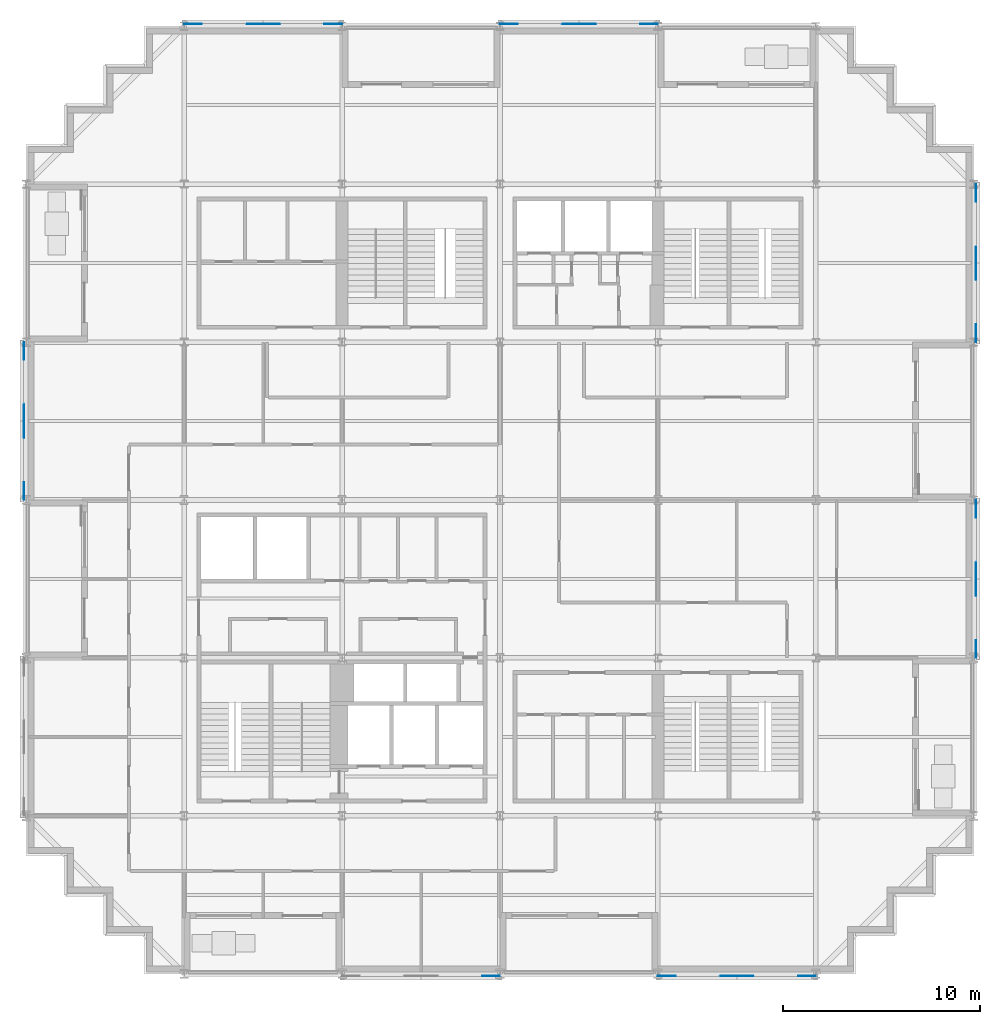
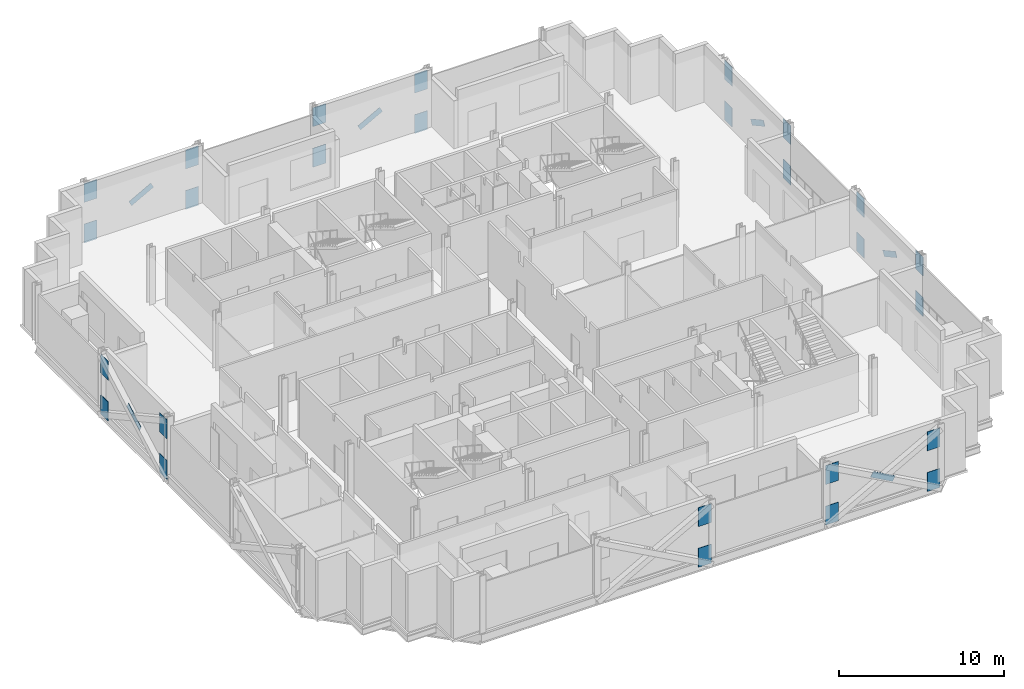
# One storey, part 12 of 15: 32 discrete accessories.
"""IFC4 building model written with IfcOpenShell, lengths in metres."""

from ifc_helpers import new_model, si_unit, direction, frame, origin, origin_2d, place, context, subcontext, project, spatial, rectangle, extrude, material, material_profile, profile_set, type_object, element, save


model = new_model("IFC4")

# Units and contexts
model_context = context("Model", 3, precision=1e-05, world=origin(), true_north=direction((0.0, 1.0)))
body_context = subcontext(model_context, "Body", "Model", "MODEL_VIEW")
ifc_project = project(units=[si_unit("LENGTHUNIT", "METRE"), si_unit("AREAUNIT", "SQUARE_METRE"), si_unit("VOLUMEUNIT", "CUBIC_METRE"), si_unit("PLANEANGLEUNIT", "RADIAN"), si_unit("MASSUNIT", "GRAM", prefix="KILO")], contexts=[model_context])

# Site, building, storey
site_placement = place(None, origin())
site = spatial("IfcSite", under=ifc_project, at=site_placement, CompositionType="ELEMENT")
building_placement = place(site_placement, origin())
building = spatial("IfcBuilding", under=site, at=building_placement, Name="Immortelle Media Tower", CompositionType="ELEMENT")
storey_placement = place(building_placement, frame((0.0, 0.0, 78.800048828125)))
storey = spatial("IfcBuildingStorey", under=building, at=storey_placement, Name="L14", CompositionType="ELEMENT", Elevation=78.800048828125)

# Discrete accessories
ifc_material = material(Name="Steel ASTM A572 Gr 50", Category="steel")
ifc_material_profile_1 = material_profile(ifc_material, rectangle(XDim=0.031982421875, YDim=0.406005859375, at=origin_2d()), Name="PL 32 x 406")
ifc_profile_set_1 = profile_set([ifc_material_profile_1], Name="Steel ASTM A572 Gr 50")
discrete_accessory_type_1 = type_object("IfcDiscreteAccessoryType", Name="Crossing plate XP-BR3 1750 x 406 x 32", PredefinedType="USERDEFINED", material=ifc_profile_set_1)
for number, where, z_axis, x_axis, name in (
    (1, (-0.113037109375, 28.7666015625, 2.125244140625), (0.0, -0.876156989658, -0.482025859756), (1.0, 0.0, 0.0), "Crossing plate XP-BR3 of Brace 1/D-E A and Brace 1/D-E B"),
    (2, (48.113037109375, 19.2333984375, 2.125244140625), (0.0, 0.876156989658, -0.482025859756), (-1.0, 0.0, 0.0), "Crossing plate XP-BR3 of Brace 7/C-D A and Brace 7/C-D B"),
    (3, (48.113037109375, 35.2333984375, 2.125244140625), (0.0, 0.876156989658, -0.482025859756), (-1.0, 0.0, 0.0), "Crossing plate XP-BR3 of Brace 7/E-F A and Brace 7/E-F B"),
    (4, (28.7666015625, 48.113037109375, 2.125244140625), (-0.876156989658, 0.0, -0.482025859756), (0.0, -1.0, 0.0), "Crossing plate XP-BR3 of Brace G/4-5 A and Brace G/4-5 B"),
    (5, (12.7666015625, 48.113037109375, 2.125244140625), (-0.876156989658, 0.0, -0.482025859756), (0.0, -1.0, 0.0), "Crossing plate XP-BR3 of Brace G/2-3 A and Brace G/2-3 B"),
    (6, (35.2333984375, -0.113037109375, 2.125244140625), (0.876156989658, 0.0, -0.482025859756), (0.0, 1.0, 0.0), "Crossing plate XP-BR3 of Brace A/5-6 A and Brace A/5-6 B"),
):
    element("IfcDiscreteAccessory", number, at=place(storey_placement, frame(where, z_axis=z_axis, x_axis=x_axis)), inside=storey, type_object=discrete_accessory_type_1, Name=name, ObjectType="CROSSING PLATE", PredefinedType="USERDEFINED", context=body_context, shape_type="SweptSolid", body=[
        extrude(rectangle(XDim=0.031982421875, YDim=0.406005859375, at=origin_2d()), origin(), (0.0, 0.0, 1.0), 1.75),
    ])
ifc_material_profile_2 = material_profile(ifc_material, rectangle(XDim=0.031982421875, YDim=1.39990234375, at=origin_2d()), Name="PL 32 x 1400")
ifc_profile_set_2 = profile_set([ifc_material_profile_2], Name="Steel ASTM A572 Gr 50")
discrete_accessory_type_2 = type_object("IfcDiscreteAccessoryType", Name="Gusset plate GP1 900 x 1400 x 32", PredefinedType="USERDEFINED", material=ifc_profile_set_2)
for number, where, z_axis, x_axis, name in (
    (7, (-0.113037109375, 32.0, 0.203369140625), (0.0, -1.0, 0.0), (1.0, 0.0, 0.0), "Gusset plate GP1, lower end of Brace 1/D-E A"),
    (8, (-0.113037109375, 24.0, 3.203369140625), (0.0, 1.0, 0.0), (-1.0, 0.0, 0.0), "Gusset plate GP1, upper end of Brace 1/D-E A"),
    (9, (-0.113037109375, 24.0, 0.203369140625), (0.0, 1.0, 0.0), (-1.0, 0.0, 0.0), "Gusset plate GP1, lower end of Brace 1/D-E B"),
    (10, (-0.113037109375, 32.0, 3.203369140625), (0.0, -1.0, 0.0), (1.0, 0.0, 0.0), "Gusset plate GP1, upper end of Brace 1/D-E B"),
    (11, (24.0, -0.113037109375, 3.203369140625), (-1.0, 0.0, 0.0), (0.0, -1.0, 0.0), "Gusset plate GP1, upper end of Brace A/3-4 A"),
    (12, (24.0, -0.113037109375, 0.203369140625), (-1.0, 0.0, 0.0), (0.0, -1.0, 0.0), "Gusset plate GP1, lower end of Brace A/3-4 B"),
    (13, (32.0, -0.113037109375, 0.203369140625), (1.0, 0.0, 0.0), (0.0, 1.0, 0.0), "Gusset plate GP1, lower end of Brace A/5-6 A"),
    (14, (40.0, -0.113037109375, 3.203369140625), (-1.0, 0.0, 0.0), (0.0, -1.0, 0.0), "Gusset plate GP1, upper end of Brace A/5-6 A"),
    (15, (40.0, -0.113037109375, 0.203369140625), (-1.0, 0.0, 0.0), (0.0, -1.0, 0.0), "Gusset plate GP1, lower end of Brace A/5-6 B"),
    (16, (32.0, -0.113037109375, 3.203369140625), (1.0, 0.0, 0.0), (0.0, 1.0, 0.0), "Gusset plate GP1, upper end of Brace A/5-6 B"),
    (17, (48.113037109375, 16.0, 0.203369140625), (0.0, 1.0, 0.0), (-1.0, 0.0, 0.0), "Gusset plate GP1, lower end of Brace 7/C-D A"),
    (18, (48.113037109375, 24.0, 3.203369140625), (0.0, -1.0, 0.0), (1.0, 0.0, 0.0), "Gusset plate GP1, upper end of Brace 7/C-D A"),
    (19, (48.113037109375, 24.0, 0.203369140625), (0.0, -1.0, 0.0), (1.0, 0.0, 0.0), "Gusset plate GP1, lower end of Brace 7/C-D B"),
    (20, (48.113037109375, 16.0, 3.203369140625), (0.0, 1.0, 0.0), (-1.0, 0.0, 0.0), "Gusset plate GP1, upper end of Brace 7/C-D B"),
    (21, (48.113037109375, 32.0, 0.203369140625), (0.0, 1.0, 0.0), (-1.0, 0.0, 0.0), "Gusset plate GP1, lower end of Brace 7/E-F A"),
    (22, (48.113037109375, 40.0, 3.203369140625), (0.0, -1.0, 0.0), (1.0, 0.0, 0.0), "Gusset plate GP1, upper end of Brace 7/E-F A"),
    (23, (48.113037109375, 40.0, 0.203369140625), (0.0, -1.0, 0.0), (1.0, 0.0, 0.0), "Gusset plate GP1, lower end of Brace 7/E-F B"),
    (24, (48.113037109375, 32.0, 3.203369140625), (0.0, 1.0, 0.0), (-1.0, 0.0, 0.0), "Gusset plate GP1, upper end of Brace 7/E-F B"),
    (25, (32.0, 48.113037109375, 0.203369140625), (-1.0, 0.0, 0.0), (0.0, -1.0, 0.0), "Gusset plate GP1, lower end of Brace G/4-5 A"),
    (26, (24.0, 48.113037109375, 3.203369140625), (1.0, 0.0, 0.0), (0.0, 1.0, 0.0), "Gusset plate GP1, upper end of Brace G/4-5 A"),
    (27, (24.0, 48.113037109375, 0.203369140625), (1.0, 0.0, 0.0), (0.0, 1.0, 0.0), "Gusset plate GP1, lower end of Brace G/4-5 B"),
    (28, (32.0, 48.113037109375, 3.203369140625), (-1.0, 0.0, 0.0), (0.0, -1.0, 0.0), "Gusset plate GP1, upper end of Brace G/4-5 B"),
    (29, (16.0, 48.113037109375, 0.203369140625), (-1.0, 0.0, 0.0), (0.0, -1.0, 0.0), "Gusset plate GP1, lower end of Brace G/2-3 A"),
    (30, (8.0, 48.113037109375, 3.203369140625), (1.0, 0.0, 0.0), (0.0, 1.0, 0.0), "Gusset plate GP1, upper end of Brace G/2-3 A"),
    (31, (8.0, 48.113037109375, 0.203369140625), (1.0, 0.0, 0.0), (0.0, 1.0, 0.0), "Gusset plate GP1, lower end of Brace G/2-3 B"),
    (32, (16.0, 48.113037109375, 3.203369140625), (-1.0, 0.0, 0.0), (0.0, -1.0, 0.0), "Gusset plate GP1, upper end of Brace G/2-3 B"),
):
    element("IfcDiscreteAccessory", number, at=place(storey_placement, frame(where, z_axis=z_axis, x_axis=x_axis)), inside=storey, type_object=discrete_accessory_type_2, Name=name, ObjectType="GUSSET PLATE", PredefinedType="USERDEFINED", context=body_context, shape_type="SweptSolid", body=[
        extrude(rectangle(XDim=0.031982421875, YDim=1.39990234375, at=origin_2d()), origin(), (0.0, 0.0, 1.0), 0.89990234375),
    ])

save(model, "model.ifc")
